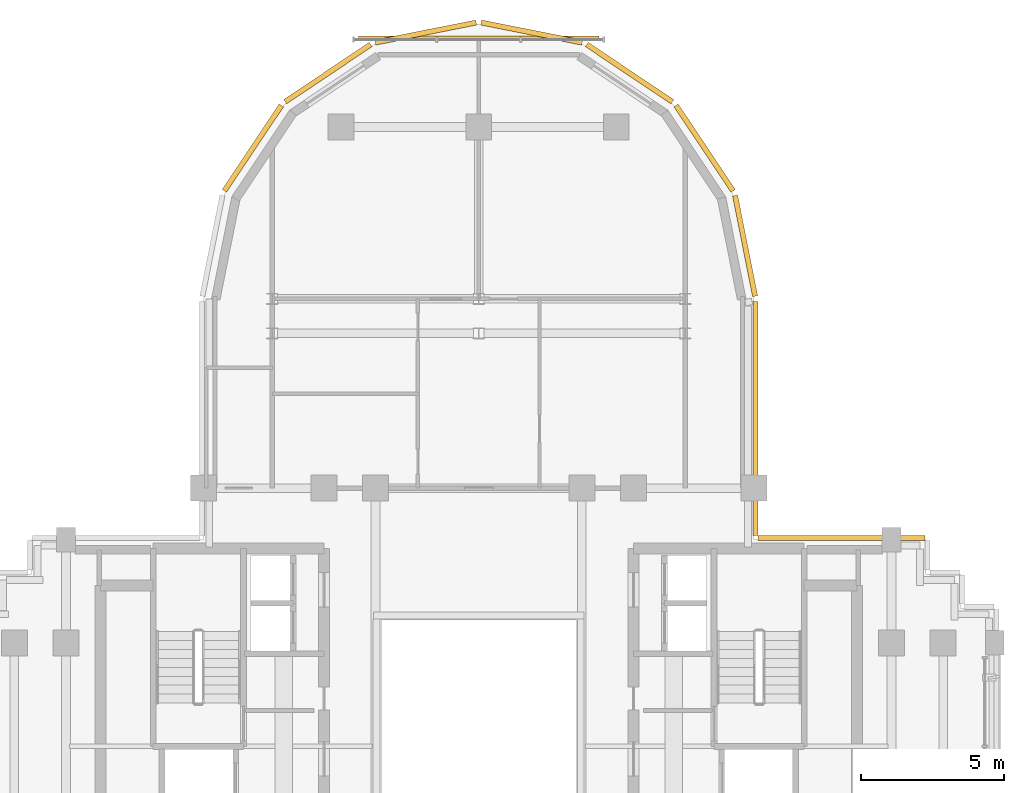
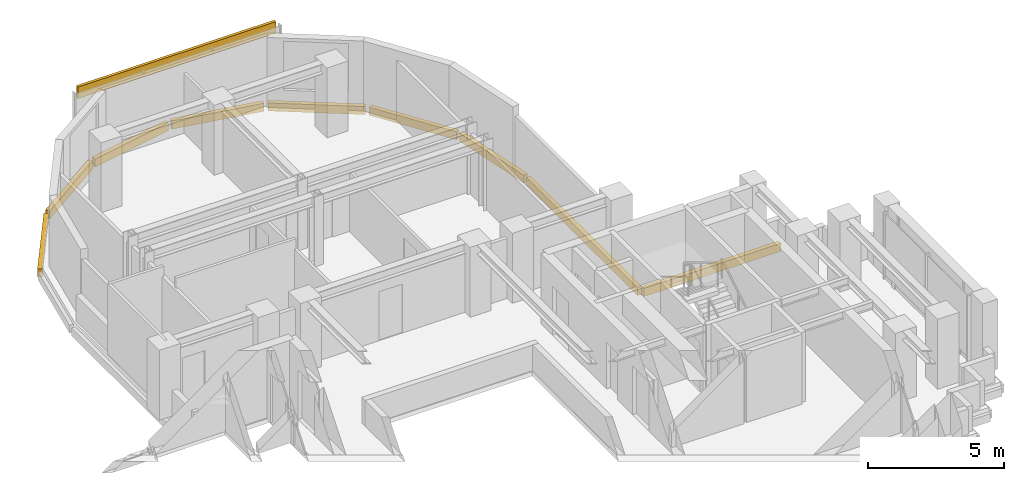
# One storey, part 11 of 11: 10 coverings.
"""IFC4 building model written with IfcOpenShell, lengths in metres."""

from ifc_helpers import new_model, si_unit, direction, frame, origin, origin_2d, place, context, subcontext, project, spatial, rectangle, extrude, source, transform, mapped, material, layer, layer_set, type_object, element, save


model = new_model("IFC4")

# Units and contexts
model_context = context("Model", 3, precision=1e-05, world=origin(), true_north=direction((0.0, 1.0)))
body_context = subcontext(model_context, "Body", "Model", "MODEL_VIEW")
ifc_project = project(units=[si_unit("LENGTHUNIT", "METRE"), si_unit("AREAUNIT", "SQUARE_METRE"), si_unit("VOLUMEUNIT", "CUBIC_METRE"), si_unit("PLANEANGLEUNIT", "RADIAN"), si_unit("MASSUNIT", "GRAM", prefix="KILO")], contexts=[model_context])

# Site, building, storey
site_placement = place(None, origin())
site = spatial("IfcSite", under=ifc_project, at=site_placement, CompositionType="ELEMENT")
building_placement = place(site_placement, origin())
building = spatial("IfcBuilding", under=site, at=building_placement, Name="Keilestroom Media Tower", CompositionType="ELEMENT")
storey_placement = place(building_placement, frame((0.0, 0.0, 211.39990234375)))
storey = spatial("IfcBuildingStorey", under=building, at=storey_placement, Name="L58", CompositionType="ELEMENT", Elevation=211.39990234375)

# Coverings
ifc_material = material(Name="Precast concrete C40/50", Category="concrete")
ifc_layer = layer(ifc_material, 0.1201171875)
ifc_layer_set = layer_set([ifc_layer], Name="Precast concrete C40/50")
covering_type = type_object("IfcCoveringType", Name="Exterior-Precast-Spandrel-Cladding-Panel-120", PredefinedType="CLADDING", material=ifc_layer_set)
shared_shape_1 = source(origin(), body_context, "Body", "SweptSolid", [
    extrude(rectangle(XDim=8.39990234375, YDim=0.1201171875, at=origin_2d()), origin(), (0.0, 0.0, 1.0), 0.52001953125),
])
covering_1_placement = place(storey_placement, frame((0.0, 24.719970703125, 2.630126953125), z_axis=(0.0, 0.0, 1.0), x_axis=(1.0, 0.0, 0.0)))
element("IfcCovering", 1, at=covering_1_placement, inside=storey, type_object=covering_type, Name="L58 Precast Spandrel Cladding N", PredefinedType="CLADDING", context=body_context, shape_type="MappedRepresentation", body=[
    mapped(shared_shape_1, transform((0.0, 0.0, 0.0), x_axis=(1.0, 0.0, 0.0), y_axis=(0.0, 1.0, 0.0), z_axis=(0.0, 0.0, 1.0), scale=1.0)),
])
shared_shape_2 = source(origin(), body_context, "Body", "SweptSolid", [
    extrude(rectangle(XDim=8.166015625, YDim=0.179931640625, at=origin_2d()), origin(), (0.0, 0.0, 1.0), 0.360107421875),
])
covering_2_placement = place(storey_placement, frame((9.659912109375, 11.43310546875, -0.5400390625), z_axis=(0.0, 0.0, 1.0), x_axis=(0.0, -1.0, 0.0)))
element("IfcCovering", 2, at=covering_2_placement, inside=storey, type_object=covering_type, Name="L58 Precast Slab-Edge Fascia Cornice 36", PredefinedType="CLADDING", context=body_context, shape_type="MappedRepresentation", body=[
    mapped(shared_shape_2, transform((0.0, 0.0, 0.0), x_axis=(1.0, 0.0, 0.0), y_axis=(0.0, 1.0, 0.0), z_axis=(0.0, 0.0, 1.0), scale=1.0)),
])
shared_shape_3 = source(origin(), body_context, "Body", "SweptSolid", [
    extrude(rectangle(XDim=3.58349609375, YDim=0.179931640625, at=origin_2d()), origin(), (0.0, 0.0, 1.0), 0.360107421875),
])
covering_3_placement = place(storey_placement, frame((9.29296875, 17.45166015625, -0.5400390625), z_axis=(0.0, 0.0, 1.0), x_axis=(0.195098880975, -0.980783577882, 0.0)))
element("IfcCovering", 3, at=covering_3_placement, inside=storey, type_object=covering_type, Name="L58 Precast Slab-Edge Fascia Cornice 35", PredefinedType="CLADDING", context=body_context, shape_type="MappedRepresentation", body=[
    mapped(shared_shape_3, transform((0.0, 0.0, 0.0), x_axis=(1.0, 0.0, 0.0), y_axis=(0.0, 1.0, 0.0), z_axis=(0.0, 0.0, 1.0), scale=1.0)),
])
shared_shape_4 = source(origin(), body_context, "Body", "SweptSolid", [
    extrude(rectangle(XDim=3.589599609375, YDim=0.179931640625, at=origin_2d()), origin(), (0.0, 0.0, 1.0), 0.360107421875),
])
for number, where, z_axis, x_axis, name in (
    (4, (-7.878662109375, 20.8642578125, -0.5400390625), (0.0, 0.0, 1.0), (0.555574586577, 0.831466703332, 0.0), "L58 Precast Slab-Edge Fascia Cornice 29"),
    (5, (-5.264404296875, 23.478515625, -0.5400390625), (0.0, 0.0, 1.0), (0.831466703332, 0.555574586577, 0.0), "L58 Precast Slab-Edge Fascia Cornice 30"),
    (6, (-1.8486328125, 24.893310546875, -0.5400390625), (0.0, 0.0, 1.0), (0.980783577882, 0.195098880975, 0.0), "L58 Precast Slab-Edge Fascia Cornice 31"),
    (7, (1.8486328125, 24.893310546875, -0.5400390625), (0.0, 0.0, 1.0), (0.980783577882, -0.195098880975, 0.0), "L58 Precast Slab-Edge Fascia Cornice 32"),
    (8, (5.264404296875, 23.478515625, -0.5400390625), (0.0, 0.0, 1.0), (0.831466703332, -0.555574586577, 0.0), "L58 Precast Slab-Edge Fascia Cornice 33"),
    (9, (7.878662109375, 20.8642578125, -0.5400390625), (0.0, 0.0, 1.0), (0.555574586577, -0.831466703332, 0.0), "L58 Precast Slab-Edge Fascia Cornice 34"),
):
    element("IfcCovering", number, at=place(storey_placement, frame(where, z_axis=z_axis, x_axis=x_axis)), inside=storey, type_object=covering_type, Name=name, PredefinedType="CLADDING", context=body_context, shape_type="MappedRepresentation", body=[
        mapped(shared_shape_4, transform((0.0, 0.0, 0.0), x_axis=(1.0, 0.0, 0.0), y_axis=(0.0, 1.0, 0.0), z_axis=(0.0, 0.0, 1.0), scale=1.0)),
    ])
shared_shape_5 = source(origin(), body_context, "Body", "SweptSolid", [
    extrude(rectangle(XDim=5.820068359375, YDim=0.179931640625, at=origin_2d()), origin(), (0.0, 0.0, 1.0), 0.360107421875),
])
covering_4_placement = place(storey_placement, frame((12.659912109375, 7.260009765625, -0.5400390625), z_axis=(0.0, 0.0, 1.0), x_axis=(1.0, 0.0, 0.0)))
element("IfcCovering", 10, at=covering_4_placement, inside=storey, type_object=covering_type, Name="L58 Precast Slab-Edge Fascia Cornice 37", PredefinedType="CLADDING", context=body_context, shape_type="MappedRepresentation", body=[
    mapped(shared_shape_5, transform((0.0, 0.0, 0.0), x_axis=(1.0, 0.0, 0.0), y_axis=(0.0, 1.0, 0.0), z_axis=(0.0, 0.0, 1.0), scale=1.0)),
])

save(model, "model.ifc")
